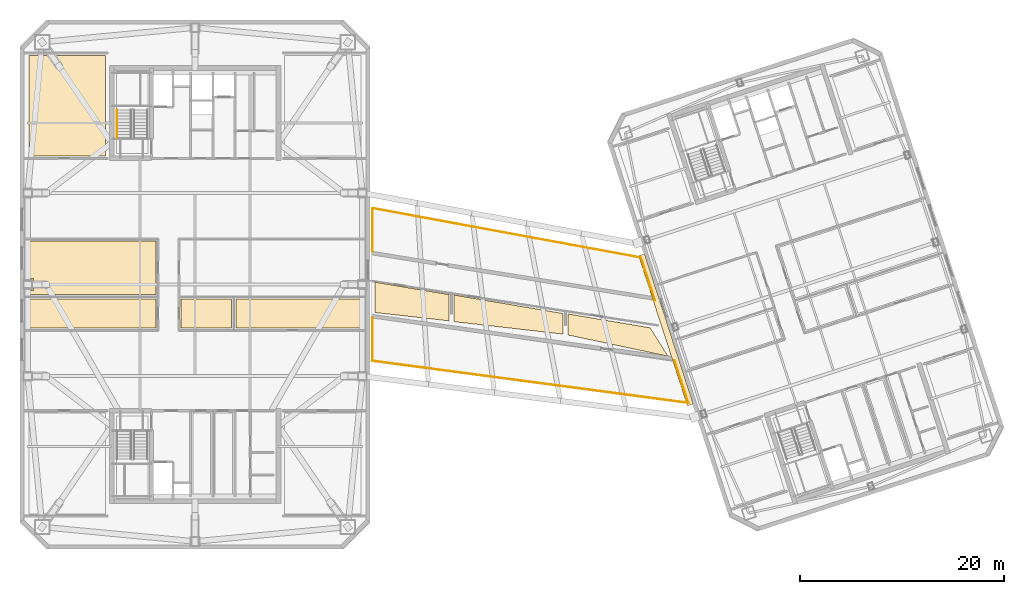
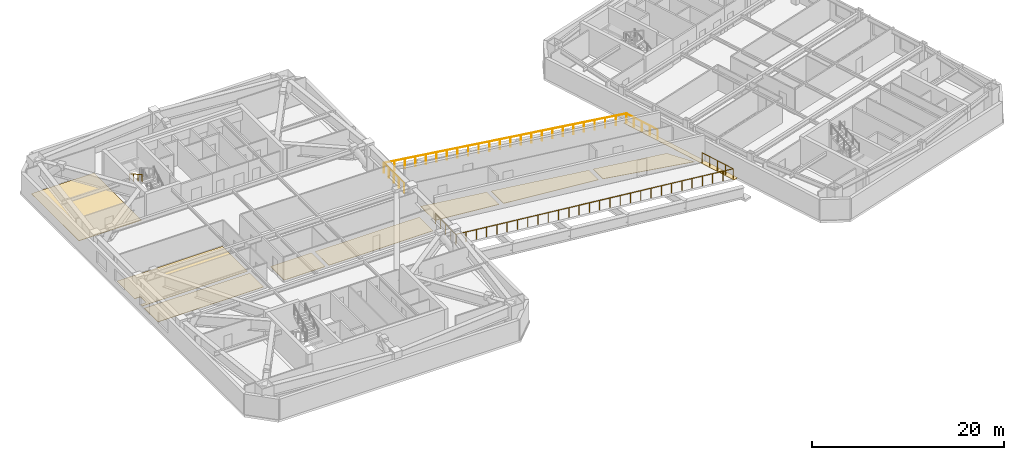
# One storey, part 14 of 18: 9 coverings, 3 railings.
"""IFC4 building model written with IfcOpenShell, lengths in metres."""

from ifc_helpers import new_model, si_unit, direction, frame, origin, origin_2d, place, context, subcontext, project, spatial, polyline, circle, outline, extrude, material, layer, layer_set, type_object, element, save


model = new_model("IFC4")

# Units and contexts
model_context = context("Model", 3, precision=1e-05, world=origin(), true_north=direction((0.0, 1.0)))
body_context = subcontext(model_context, "Body", "Model", "MODEL_VIEW")
ifc_project = project(units=[si_unit("LENGTHUNIT", "METRE"), si_unit("AREAUNIT", "SQUARE_METRE"), si_unit("VOLUMEUNIT", "CUBIC_METRE"), si_unit("PLANEANGLEUNIT", "RADIAN"), si_unit("MASSUNIT", "GRAM", prefix="KILO")], contexts=[model_context])

# Site, building, storey
site_placement = place(None, origin())
site = spatial("IfcSite", under=ifc_project, at=site_placement, CompositionType="ELEMENT")
building_placement = place(site_placement, origin())
building = spatial("IfcBuilding", under=site, at=building_placement, Name="Qiaolan Cultural Towers", CompositionType="ELEMENT")
storey_placement = place(building_placement, frame((0.0, 0.0, 219.64990234375)))
storey = spatial("IfcBuildingStorey", under=building, at=storey_placement, Name="L59", CompositionType="ELEMENT", Elevation=219.64990234375)

# Coverings
ifc_material_1 = material(Name="Honed Terrazzo & Raised Access Flooring", Category="concrete")
ifc_layer_1 = layer(ifc_material_1, 0.0400390625)
ifc_layer_set_1 = layer_set([ifc_layer_1], Name="Honed Terrazzo & Raised Access Flooring")
covering_type_1 = type_object("IfcCoveringType", Name="COV-FLR-STONE", PredefinedType="FLOORING", material=ifc_layer_set_1)
covering_1_placement = place(storey_placement, origin())
element("IfcCovering", 1, at=covering_1_placement, inside=storey, type_object=covering_type_1, Name="L59 Corner Sky Tea Kitchen Finish Flooring", PredefinedType="FLOORING", context=body_context, shape_type="SweptSolid", body=[
    extrude(outline(polyline([(21.199951171875, 46.6201171875), (21.199951171875, 56.530029296875), (13.669921875, 56.530029296875), (13.669921875, 46.6201171875), (21.199951171875, 46.6201171875)])), origin(), (0.0, 0.0, 1.0), 0.0400390625),
])
covering_2_placement = place(storey_placement, origin())
element("IfcCovering", 2, at=covering_2_placement, inside=storey, type_object=covering_type_1, Name="L59 Sky Park Cultural Salon Finish Flooring", PredefinedType="FLOORING", context=body_context, shape_type="SweptSolid", body=[
    extrude(outline(polyline([(26.155029296875, 29.719970703125), (26.155029296875, 32.60009765625), (13.43994140625, 32.60009765625), (13.43994140625, 29.719970703125), (26.155029296875, 29.719970703125)])), origin(), (0.0, 0.0, 1.0), 0.0400390625),
])
covering_3_placement = place(storey_placement, origin())
element("IfcCovering", 3, at=covering_3_placement, inside=storey, type_object=covering_type_1, Name="L59 Botanical Lounge Finish Flooring", PredefinedType="FLOORING", context=body_context, shape_type="SweptSolid", body=[
    extrude(outline(polyline([(13.43994140625, 34.60009765625), (14.030029296875, 34.60009765625), (14.041748046875, 34.599365234375), (14.053466796875, 34.59765625), (14.06494140625, 34.5947265625), (14.075927734375, 34.5908203125), (14.086669921875, 34.5859375), (14.0966796875, 34.579833984375), (14.106201171875, 34.57275390625), (14.11474609375, 34.56494140625), (14.122802734375, 34.55615234375), (14.1298828125, 34.546630859375), (14.1357421875, 34.53662109375), (14.140869140625, 34.52587890625), (14.144775390625, 34.514892578125), (14.147705078125, 34.50341796875), (14.1494140625, 34.49169921875), (14.14990234375, 34.47998046875), (14.14990234375, 33.52001953125), (14.1494140625, 33.50830078125), (14.147705078125, 33.49658203125), (14.144775390625, 33.485107421875), (14.140869140625, 33.47412109375), (14.1357421875, 33.46337890625), (14.1298828125, 33.453369140625), (14.122802734375, 33.44384765625), (14.11474609375, 33.43505859375), (14.106201171875, 33.42724609375), (14.0966796875, 33.420166015625), (14.086669921875, 33.4140625), (14.075927734375, 33.4091796875), (14.06494140625, 33.4052734375), (14.053466796875, 33.40234375), (14.041748046875, 33.400634765625), (14.030029296875, 33.39990234375), (13.43994140625, 33.39990234375), (13.43994140625, 33.0400390625), (26.155029296875, 33.0400390625), (26.155029296875, 38.280029296875), (13.43994140625, 38.280029296875), (13.43994140625, 34.60009765625)])), origin(), (0.0, 0.0, 1.0), 0.0400390625),
])
covering_4_placement = place(storey_placement, origin())
element("IfcCovering", 4, at=covering_4_placement, inside=storey, type_object=covering_type_1, Name="L59 Sky Gallery Gift Shop Finish Flooring", PredefinedType="FLOORING", context=body_context, shape_type="SweptSolid", body=[
    extrude(outline(polyline([(33.580078125, 29.719970703125), (33.580078125, 32.60009765625), (28.64501953125, 32.60009765625), (28.64501953125, 29.719970703125), (33.580078125, 29.719970703125)])), origin(), (0.0, 0.0, 1.0), 0.0400390625),
])
covering_5_placement = place(storey_placement, origin())
element("IfcCovering", 5, at=covering_5_placement, inside=storey, type_object=covering_type_1, Name="L59 Curator Office Finish Flooring", PredefinedType="FLOORING", context=body_context, shape_type="SweptSolid", body=[
    extrude(outline(polyline([(46.56005859375, 29.719970703125), (46.56005859375, 32.60009765625), (34.02001953125, 32.60009765625), (34.02001953125, 29.719970703125), (46.56005859375, 29.719970703125)])), origin(), (0.0, 0.0, 1.0), 0.0400390625),
])
covering_6_placement = place(storey_placement, origin())
element("IfcCovering", 6, at=covering_6_placement, inside=storey, type_object=covering_type_1, Name="L59 Sky Park Tea Preparation Pantry Finish Flooring", PredefinedType="FLOORING", context=body_context, shape_type="SweptSolid", body=[
    extrude(outline(polyline([(54.9599609375, 30.434326171875), (54.9599609375, 33.015380859375), (47.669921875, 34.23828125), (47.669921875, 31.25732421875), (54.9599609375, 30.434326171875)])), origin(), (0.0, 0.0, 1.0), 0.0400390625),
])
covering_7_placement = place(storey_placement, origin())
element("IfcCovering", 7, at=covering_7_placement, inside=storey, type_object=covering_type_1, Name="L59 Sky Park Observatory Boardroom Finish Flooring", PredefinedType="FLOORING", context=body_context, shape_type="SweptSolid", body=[
    extrude(outline(polyline([(66.159912109375, 29.134521484375), (66.159912109375, 31.154052734375), (55.43994140625, 32.974853515625), (55.43994140625, 30.357177734375), (66.159912109375, 29.134521484375)])), origin(), (0.0, 0.0, 1.0), 0.0400390625),
])
covering_8_placement = place(storey_placement, origin())
element("IfcCovering", 8, at=covering_8_placement, inside=storey, type_object=covering_type_1, Name="L59 Sky Park Members Cultural Salon Finish Flooring", PredefinedType="FLOORING", context=body_context, shape_type="SweptSolid", body=[
    extrude(outline(polyline([(76.47119140625, 26.966064453125), (74.7333984375, 29.747314453125), (66.639892578125, 31.113525390625), (66.639892578125, 29.04736328125), (76.47119140625, 26.966064453125)])), origin(), (0.0, 0.0, 1.0), 0.0400390625),
])
ifc_material_2 = material(Name="TPO Waterproofing & Extruded Polystyrene Inverted Roof System", Category="bitumen")
ifc_layer_2 = layer(ifc_material_2, 0.080078125)
ifc_layer_set_2 = layer_set([ifc_layer_2], Name="TPO Waterproofing & Extruded Polystyrene Inverted Roof System")
covering_type_2 = type_object("IfcCoveringType", Name="COV-ROOF-MEMB", PredefinedType="ROOFING", material=ifc_layer_set_2)
covering_9_placement = place(storey_placement, frame((0.0, 0.0, -0.039794921875)))
element("IfcCovering", 9, at=covering_9_placement, inside=storey, type_object=covering_type_2, Name="L59 Sky Park Seismic Movement Joint Threshold Cover", PredefinedType="ROOFING", context=body_context, shape_type="SweptSolid", body=[
    extrude(outline(polyline([(78.395263671875, 22.08056640625), (78.966064453125, 22.26611328125), (74.17626953125, 37.00732421875), (73.60546875, 36.822021484375), (78.395263671875, 22.08056640625)])), origin(), (0.0, 0.0, 1.0), 0.039794921875),
])

# Railings
ifc_material_3 = material(Name="Laminated SentryGlas & Stainless Steel S31608 Balustrade", Category="steel")
railing_type_1 = type_object("IfcRailingType", Name="GRD-TERR-1200", PredefinedType="BALUSTRADE", material=ifc_material_3)
railing_1_placement = place(storey_placement, frame((47.449951171875, 30.75, 0.0)))
element("IfcRailing", 10, at=railing_1_placement, inside=storey, type_object=railing_type_1, Name="L59 Sky Park South Observation Terrace Guardrail", PredefinedType="BALUSTRADE", context=body_context, shape_type="SweptSolid", body=[
    extrude(circle(Radius=0.02392578125, at=origin_2d()), frame((0.0, 0.0, 1.22607421875), z_axis=(0.0, -1.0, 0.0), x_axis=(1.0, 0.0, 0.0)), (0.0, 0.0, 1.0), 4.25),
    extrude(circle(Radius=0.02392578125, at=origin_2d()), frame((0.0, -4.25, 1.22607421875), z_axis=(0.991261993372, -0.131907772694, 0.0), x_axis=(0.131907772694, 0.991261993372, 0.0)), (0.0, 0.0, 1.0), 31.30322265625),
    extrude(circle(Radius=0.02392578125, at=origin_2d()), frame((31.02978515625, -8.379150390625, 1.22607421875), z_axis=(-0.30901079133, 0.951058531764, 0.0), x_axis=(-0.951058531764, -0.30901079133, 0.0)), (0.0, 0.0, 1.0), 4.39990234375),
    extrude(circle(Radius=0.02099609375, at=origin_2d()), origin(), (0.0, 0.0, 1.0), 1.201904296875),
    extrude(circle(Radius=0.02099609375, at=origin_2d()), frame((0.0, -1.0625, 0.0)), (0.0, 0.0, 1.0), 1.201904296875),
    extrude(circle(Radius=0.02099609375, at=origin_2d()), frame((0.0, -2.125, 0.0)), (0.0, 0.0, 1.0), 1.201904296875),
    extrude(circle(Radius=0.02099609375, at=origin_2d()), frame((0.0, -3.1875, 0.0)), (0.0, 0.0, 1.0), 1.201904296875),
    extrude(circle(Radius=0.02099609375, at=origin_2d()), frame((0.0, -4.25, 0.0)), (0.0, 0.0, 1.0), 1.201904296875),
    extrude(circle(Radius=0.02099609375, at=origin_2d()), frame((1.149169921875, -4.40283203125, 0.0)), (0.0, 0.0, 1.0), 1.201904296875),
    extrude(circle(Radius=0.02099609375, at=origin_2d()), frame((2.298583984375, -4.555908203125, 0.0)), (0.0, 0.0, 1.0), 1.201904296875),
    extrude(circle(Radius=0.02099609375, at=origin_2d()), frame((3.44775390625, -4.708740234375, 0.0)), (0.0, 0.0, 1.0), 1.201904296875),
    extrude(circle(Radius=0.02099609375, at=origin_2d()), frame((4.596923828125, -4.86181640625, 0.0)), (0.0, 0.0, 1.0), 1.201904296875),
    extrude(circle(Radius=0.02099609375, at=origin_2d()), frame((5.746337890625, -5.0146484375, 0.0)), (0.0, 0.0, 1.0), 1.201904296875),
    extrude(circle(Radius=0.02099609375, at=origin_2d()), frame((6.8955078125, -5.16748046875, 0.0)), (0.0, 0.0, 1.0), 1.201904296875),
    extrude(circle(Radius=0.02099609375, at=origin_2d()), frame((8.044677734375, -5.320556640625, 0.0)), (0.0, 0.0, 1.0), 1.201904296875),
    extrude(circle(Radius=0.02099609375, at=origin_2d()), frame((9.194091796875, -5.473388671875, 0.0)), (0.0, 0.0, 1.0), 1.201904296875),
    extrude(circle(Radius=0.02099609375, at=origin_2d()), frame((10.34326171875, -5.62646484375, 0.0)), (0.0, 0.0, 1.0), 1.201904296875),
    extrude(circle(Radius=0.02099609375, at=origin_2d()), frame((11.492431640625, -5.779296875, 0.0)), (0.0, 0.0, 1.0), 1.201904296875),
    extrude(circle(Radius=0.02099609375, at=origin_2d()), frame((12.641845703125, -5.93212890625, 0.0)), (0.0, 0.0, 1.0), 1.201904296875),
    extrude(circle(Radius=0.02099609375, at=origin_2d()), frame((13.791015625, -6.085205078125, 0.0)), (0.0, 0.0, 1.0), 1.201904296875),
    extrude(circle(Radius=0.02099609375, at=origin_2d()), frame((14.940185546875, -6.238037109375, 0.0)), (0.0, 0.0, 1.0), 1.201904296875),
    extrude(circle(Radius=0.02099609375, at=origin_2d()), frame((16.089599609375, -6.39111328125, 0.0)), (0.0, 0.0, 1.0), 1.201904296875),
    extrude(circle(Radius=0.02099609375, at=origin_2d()), frame((17.23876953125, -6.5439453125, 0.0)), (0.0, 0.0, 1.0), 1.201904296875),
    extrude(circle(Radius=0.02099609375, at=origin_2d()), frame((18.387939453125, -6.697021484375, 0.0)), (0.0, 0.0, 1.0), 1.201904296875),
    extrude(circle(Radius=0.02099609375, at=origin_2d()), frame((19.537353515625, -6.849853515625, 0.0)), (0.0, 0.0, 1.0), 1.201904296875),
    extrude(circle(Radius=0.02099609375, at=origin_2d()), frame((20.6865234375, -7.002685546875, 0.0)), (0.0, 0.0, 1.0), 1.201904296875),
    extrude(circle(Radius=0.02099609375, at=origin_2d()), frame((21.835693359375, -7.15576171875, 0.0)), (0.0, 0.0, 1.0), 1.201904296875),
    extrude(circle(Radius=0.02099609375, at=origin_2d()), frame((22.985107421875, -7.30859375, 0.0)), (0.0, 0.0, 1.0), 1.201904296875),
    extrude(circle(Radius=0.02099609375, at=origin_2d()), frame((24.13427734375, -7.461669921875, 0.0)), (0.0, 0.0, 1.0), 1.201904296875),
    extrude(circle(Radius=0.02099609375, at=origin_2d()), frame((25.283447265625, -7.614501953125, 0.0)), (0.0, 0.0, 1.0), 1.201904296875),
    extrude(circle(Radius=0.02099609375, at=origin_2d()), frame((26.432861328125, -7.767333984375, 0.0)), (0.0, 0.0, 1.0), 1.201904296875),
    extrude(circle(Radius=0.02099609375, at=origin_2d()), frame((27.58203125, -7.92041015625, 0.0)), (0.0, 0.0, 1.0), 1.201904296875),
    extrude(circle(Radius=0.02099609375, at=origin_2d()), frame((28.731201171875, -8.0732421875, 0.0)), (0.0, 0.0, 1.0), 1.201904296875),
    extrude(circle(Radius=0.02099609375, at=origin_2d()), frame((29.880615234375, -8.226318359375, 0.0)), (0.0, 0.0, 1.0), 1.201904296875),
    extrude(circle(Radius=0.02099609375, at=origin_2d()), frame((31.02978515625, -8.379150390625, 0.0)), (0.0, 0.0, 1.0), 1.201904296875),
    extrude(circle(Radius=0.02099609375, at=origin_2d()), frame((30.68994140625, -7.3330078125, 0.0)), (0.0, 0.0, 1.0), 1.201904296875),
    extrude(circle(Radius=0.02099609375, at=origin_2d()), frame((30.35009765625, -6.286865234375, 0.0)), (0.0, 0.0, 1.0), 1.201904296875),
    extrude(circle(Radius=0.02099609375, at=origin_2d()), frame((30.010009765625, -5.24072265625, 0.0)), (0.0, 0.0, 1.0), 1.201904296875),
    extrude(circle(Radius=0.02099609375, at=origin_2d()), frame((29.670166015625, -4.194580078125, 0.0)), (0.0, 0.0, 1.0), 1.201904296875),
])
railing_2_placement = place(storey_placement, frame((47.449951171875, 37.25, 0.0)))
element("IfcRailing", 11, at=railing_2_placement, inside=storey, type_object=railing_type_1, Name="L59 Sky Park North Observation Terrace Guardrail", PredefinedType="BALUSTRADE", context=body_context, shape_type="SweptSolid", body=[
    extrude(circle(Radius=0.02392578125, at=origin_2d()), frame((0.0, 0.0, 1.22607421875), z_axis=(0.0, 1.0, 0.0), x_axis=(-1.0, 0.0, 0.0)), (0.0, 0.0, 1.0), 4.25),
    extrude(circle(Radius=0.02392578125, at=origin_2d()), frame((0.0, 4.25, 1.22607421875), z_axis=(0.98344568142, -0.181203177944, 0.0), x_axis=(0.181203177944, 0.98344568142, 0.0)), (0.0, 0.0, 1.0), 26.8388671875),
    extrude(circle(Radius=0.02392578125, at=origin_2d()), frame((26.39453125, -0.61328125, 1.22607421875), z_axis=(0.30901079133, -0.951058531764, 0.0), x_axis=(0.951058531764, 0.30901079133, 0.0)), (0.0, 0.0, 1.0), 4.39990234375),
    extrude(circle(Radius=0.02099609375, at=origin_2d()), origin(), (0.0, 0.0, 1.0), 1.201904296875),
    extrude(circle(Radius=0.02099609375, at=origin_2d()), frame((0.0, 1.0625, 0.0)), (0.0, 0.0, 1.0), 1.201904296875),
    extrude(circle(Radius=0.02099609375, at=origin_2d()), frame((0.0, 2.125, 0.0)), (0.0, 0.0, 1.0), 1.201904296875),
    extrude(circle(Radius=0.02099609375, at=origin_2d()), frame((0.0, 3.1875, 0.0)), (0.0, 0.0, 1.0), 1.201904296875),
    extrude(circle(Radius=0.02099609375, at=origin_2d()), frame((0.0, 4.25, 0.0)), (0.0, 0.0, 1.0), 1.201904296875),
    extrude(circle(Radius=0.02099609375, at=origin_2d()), frame((1.147705078125, 4.03857421875, 0.0)), (0.0, 0.0, 1.0), 1.201904296875),
    extrude(circle(Radius=0.02099609375, at=origin_2d()), frame((2.295166015625, 3.8271484375, 0.0)), (0.0, 0.0, 1.0), 1.201904296875),
    extrude(circle(Radius=0.02099609375, at=origin_2d()), frame((3.44287109375, 3.61572265625, 0.0)), (0.0, 0.0, 1.0), 1.201904296875),
    extrude(circle(Radius=0.02099609375, at=origin_2d()), frame((4.59033203125, 3.404296875, 0.0)), (0.0, 0.0, 1.0), 1.201904296875),
    extrude(circle(Radius=0.02099609375, at=origin_2d()), frame((5.738037109375, 3.19287109375, 0.0)), (0.0, 0.0, 1.0), 1.201904296875),
    extrude(circle(Radius=0.02099609375, at=origin_2d()), frame((6.885498046875, 2.981201171875, 0.0)), (0.0, 0.0, 1.0), 1.201904296875),
    extrude(circle(Radius=0.02099609375, at=origin_2d()), frame((8.033203125, 2.769775390625, 0.0)), (0.0, 0.0, 1.0), 1.201904296875),
    extrude(circle(Radius=0.02099609375, at=origin_2d()), frame((9.1806640625, 2.558349609375, 0.0)), (0.0, 0.0, 1.0), 1.201904296875),
    extrude(circle(Radius=0.02099609375, at=origin_2d()), frame((10.328369140625, 2.346923828125, 0.0)), (0.0, 0.0, 1.0), 1.201904296875),
    extrude(circle(Radius=0.02099609375, at=origin_2d()), frame((11.475830078125, 2.135498046875, 0.0)), (0.0, 0.0, 1.0), 1.201904296875),
    extrude(circle(Radius=0.02099609375, at=origin_2d()), frame((12.62353515625, 1.924072265625, 0.0)), (0.0, 0.0, 1.0), 1.201904296875),
    extrude(circle(Radius=0.02099609375, at=origin_2d()), frame((13.77099609375, 1.712646484375, 0.0)), (0.0, 0.0, 1.0), 1.201904296875),
    extrude(circle(Radius=0.02099609375, at=origin_2d()), frame((14.918701171875, 1.501220703125, 0.0)), (0.0, 0.0, 1.0), 1.201904296875),
    extrude(circle(Radius=0.02099609375, at=origin_2d()), frame((16.066162109375, 1.289794921875, 0.0)), (0.0, 0.0, 1.0), 1.201904296875),
    extrude(circle(Radius=0.02099609375, at=origin_2d()), frame((17.2138671875, 1.078369140625, 0.0)), (0.0, 0.0, 1.0), 1.201904296875),
    extrude(circle(Radius=0.02099609375, at=origin_2d()), frame((18.361328125, 0.866943359375, 0.0)), (0.0, 0.0, 1.0), 1.201904296875),
    extrude(circle(Radius=0.02099609375, at=origin_2d()), frame((19.509033203125, 0.655517578125, 0.0)), (0.0, 0.0, 1.0), 1.201904296875),
    extrude(circle(Radius=0.02099609375, at=origin_2d()), frame((20.656494140625, 0.44384765625, 0.0)), (0.0, 0.0, 1.0), 1.201904296875),
    extrude(circle(Radius=0.02099609375, at=origin_2d()), frame((21.80419921875, 0.232421875, 0.0)), (0.0, 0.0, 1.0), 1.201904296875),
    extrude(circle(Radius=0.02099609375, at=origin_2d()), frame((22.95166015625, 0.02099609375, 0.0)), (0.0, 0.0, 1.0), 1.201904296875),
    extrude(circle(Radius=0.02099609375, at=origin_2d()), frame((24.099365234375, -0.1904296875, 0.0)), (0.0, 0.0, 1.0), 1.201904296875),
    extrude(circle(Radius=0.02099609375, at=origin_2d()), frame((25.246826171875, -0.40185546875, 0.0)), (0.0, 0.0, 1.0), 1.201904296875),
    extrude(circle(Radius=0.02099609375, at=origin_2d()), frame((26.39453125, -0.61328125, 0.0)), (0.0, 0.0, 1.0), 1.201904296875),
    extrude(circle(Radius=0.02099609375, at=origin_2d()), frame((26.734375, -1.659423828125, 0.0)), (0.0, 0.0, 1.0), 1.201904296875),
    extrude(circle(Radius=0.02099609375, at=origin_2d()), frame((27.07421875, -2.70556640625, 0.0)), (0.0, 0.0, 1.0), 1.201904296875),
    extrude(circle(Radius=0.02099609375, at=origin_2d()), frame((27.414306640625, -3.751708984375, 0.0)), (0.0, 0.0, 1.0), 1.201904296875),
    extrude(circle(Radius=0.02099609375, at=origin_2d()), frame((27.754150390625, -4.7978515625, 0.0)), (0.0, 0.0, 1.0), 1.201904296875),
])
ifc_material_4 = material(Name="Stainless Steel S30408 Tubular Handrail", Category="steel")
railing_type_2 = type_object("IfcRailingType", Name="RL-STAIR-HR", PredefinedType="HANDRAIL", material=ifc_material_4)
railing_3_placement = place(storey_placement, frame((22.35009765625, 51.14990234375, 1.897705078125)))
element("IfcRailing", 12, at=railing_3_placement, inside=storey, type_object=railing_type_2, Name="L59 ST-W2 stair handrail 2", PredefinedType="HANDRAIL", context=body_context, shape_type="SweptSolid", body=[
    extrude(circle(Radius=0.02392578125, at=origin_2d()), frame((0.0, 0.0, 0.8759765625), z_axis=(0.0, -0.866903762492, 0.498475542607), x_axis=(1.0, 0.0, 0.0)), (0.0, 0.0, 1.0), 3.114501953125),
    extrude(circle(Radius=0.02099609375, at=origin_2d()), origin(), (0.0, 0.0, 1.0), 0.851806640625),
    extrude(circle(Radius=0.02099609375, at=origin_2d()), frame((0.0, -0.89990234375, 0.517578125)), (0.0, 0.0, 1.0), 0.851806640625),
    extrude(circle(Radius=0.02099609375, at=origin_2d()), frame((0.0, -1.800048828125, 1.034912109375)), (0.0, 0.0, 1.0), 0.851806640625),
    extrude(circle(Radius=0.02099609375, at=origin_2d()), frame((0.0, -2.699951171875, 1.552490234375)), (0.0, 0.0, 1.0), 0.851806640625),
])

save(model, "model.ifc")
